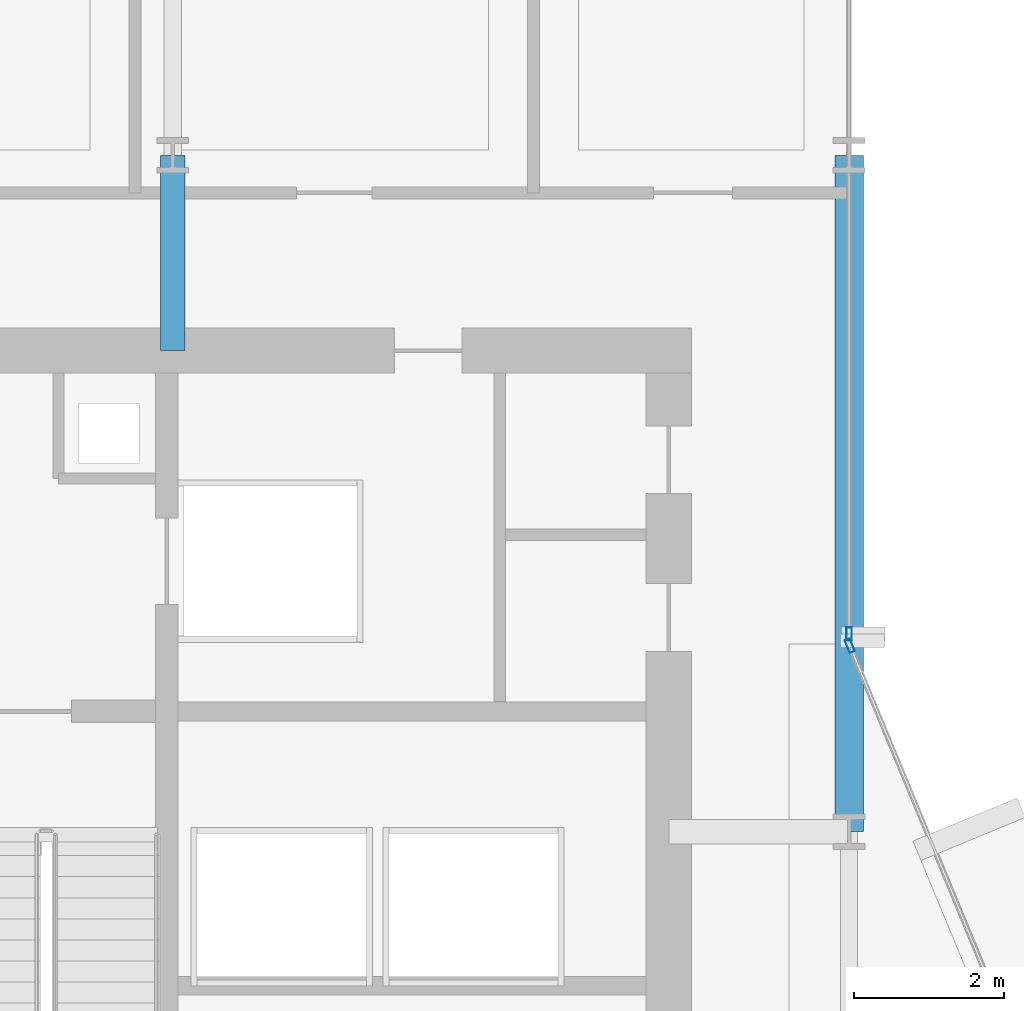
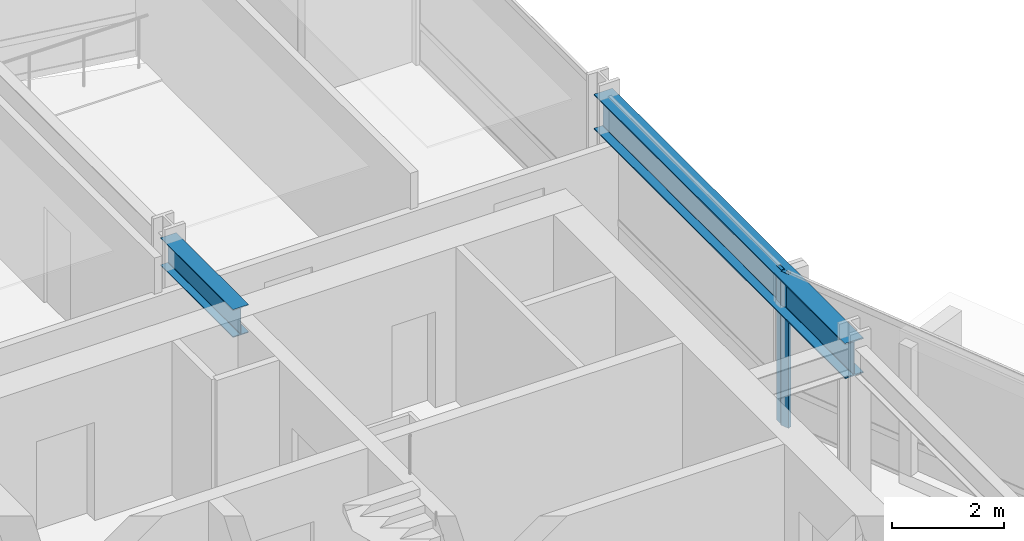
# One storey, part 21 of 34: 2 beams, 2 members, 2 elements without a shape of their own.
"""IFC4 building model written with IfcOpenShell, lengths in metres."""

import ifcopenshell
import ifcopenshell.guid

model = None  # the IFC model being written
_history = None  # IfcOwnerHistory: only IFC2X3 demands one
_inside = {}  # id of a spatial element -> (the spatial element, [elements in it])
_under = {}  # id of a project, library or spatial element -> (it, [spatial elements below it])
_declared = {}  # id of a project -> (the project, [libraries it declares])
_typed = {}  # id of a type object -> (the type object, [elements of that type])
_made_of = {}  # id of a material, layer set ... -> (it, [elements and type objects made of it])


def new_model(schema):
    """Start an empty IFC model of exactly this schema.

    Asked for "IFC4X3", IfcOpenShell would pick the latest addendum, in which some entities
    have other attributes; the version numbers below select the first issue.
    IFC2X3 requires an IfcOwnerHistory on every rooted entity: one is made here for all.
    """
    global model, _history
    if schema == "IFC4X3":
        model = ifcopenshell.file(schema_version=(4, 3, 0, 0))
    else:
        model = ifcopenshell.file(schema=schema)
    _inside.clear()
    _under.clear()
    _declared.clear()
    _typed.clear()
    _made_of.clear()
    _history = None
    if model.schema == "IFC2X3":
        org = make("IfcOrganization", Name="unknown")
        user = make(
            "IfcPersonAndOrganization",
            ThePerson=make("IfcPerson", FamilyName="unknown"),
            TheOrganization=org,
        )
        app = make(
            "IfcApplication",
            ApplicationDeveloper=org,
            Version="unknown",
            ApplicationFullName="unknown",
            ApplicationIdentifier="unknown",
        )
        _history = make(
            "IfcOwnerHistory",
            OwningUser=user,
            OwningApplication=app,
            ChangeAction="ADDED",
            CreationDate=0,
        )
    return model


def make(cls, **values):
    """One entity of the class cls with the attributes given. An attribute that is None is left unset."""
    return model.create_entity(
        cls, **{name: value for name, value in values.items() if value is not None}
    )


def rooted(cls, **values):
    """An entity with a GlobalId (a new one), such as an element, a storey or a relation."""
    return make(cls, GlobalId=ifcopenshell.guid.new(), OwnerHistory=_history, **values)


def si_unit(unit_type, name, prefix=None):
    """IfcSIUnit, for example si_unit("LENGTHUNIT", "METRE", prefix="MILLI")."""
    return make("IfcSIUnit", UnitType=unit_type, Prefix=prefix, Name=name)


def assignment(units):
    """IfcUnitAssignment: the units of a project."""
    return None if units is None else make("IfcUnitAssignment", Units=units)


def point(xyz):
    """IfcCartesianPoint."""
    return None if xyz is None else make("IfcCartesianPoint", Coordinates=xyz)


def direction(xyz):
    """IfcDirection."""
    return None if xyz is None else make("IfcDirection", DirectionRatios=xyz)


def frame(location, z_axis=None, x_axis=None):
    """IfcAxis2Placement3D, a coordinate frame: its origin and axes. An axis left out is left unset."""
    return make(
        "IfcAxis2Placement3D",
        Location=point(location),
        Axis=direction(z_axis),
        RefDirection=direction(x_axis),
    )


def frame_2d(location, x_axis=None):
    """IfcAxis2Placement2D, a coordinate frame in the plane: its origin and x axis."""
    return make(
        "IfcAxis2Placement2D", Location=point(location), RefDirection=direction(x_axis)
    )


def origin():
    """The frame at (0, 0, 0) with its axes left unset."""
    return frame((0.0, 0.0, 0.0))


def origin_2d():
    """The frame at (0, 0) in the plane with its x axis left unset."""
    return frame_2d((0.0, 0.0))


def place(relative_to, where):
    """IfcLocalPlacement: puts the frame where relative to a parent placement (None: the world)."""
    return make(
        "IfcLocalPlacement", PlacementRelTo=relative_to, RelativePlacement=where
    )


def context(
    kind, dimensions, precision=None, world=None, true_north=None, identifier=None
):
    """IfcGeometricRepresentationContext, for example the 3D "Model" context."""
    return make(
        "IfcGeometricRepresentationContext",
        ContextIdentifier=identifier,
        ContextType=kind,
        CoordinateSpaceDimension=dimensions,
        Precision=precision,
        WorldCoordinateSystem=world,
        TrueNorth=true_north,
    )


def subcontext(parent, identifier, kind, view, scale=None):
    """IfcGeometricRepresentationSubContext, for example "Body" below "Model"."""
    return make(
        "IfcGeometricRepresentationSubContext",
        ContextIdentifier=identifier,
        ContextType=kind,
        ParentContext=parent,
        TargetScale=scale,
        TargetView=view,
    )


def project(units=None, contexts=None):
    """IfcProject with its units and contexts."""
    return rooted(
        "IfcProject",
        Name="project",
        RepresentationContexts=contexts,
        UnitsInContext=assignment(units),
    )


def spatial(cls, under=None, at=None, **own):
    """A site, building, storey or space (cls), placed at a placement, below another one or the project."""
    s = rooted(cls, ObjectPlacement=at, **own)
    if under is not None:
        _under.setdefault(under.id(), (under, []))[1].append(s)
    return s


def profile(cls, at=None, kind="AREA", **sizes):
    """A parametric profile (cls). Its sizes go by their IFC names, for example OverallWidth=200.0."""
    return make(cls, ProfileType=kind, Position=at, **sizes)


def hollow_rectangle(**sizes):
    """IfcRectangleHollowProfileDef."""
    return profile("IfcRectangleHollowProfileDef", **sizes)


def i_section(**sizes):
    """IfcIShapeProfileDef."""
    return profile("IfcIShapeProfileDef", **sizes)


def extrude(swept, where, along, depth):
    """IfcExtrudedAreaSolid: the profile swept, set in the frame where, extruded along a direction by depth."""
    return make(
        "IfcExtrudedAreaSolid",
        SweptArea=swept,
        Position=where,
        ExtrudedDirection=direction(along),
        Depth=depth,
    )


def shape(context_of_items, identifier, shape_type, items):
    """IfcShapeRepresentation: the items that make up one representation, for example the "Body"."""
    return make(
        "IfcShapeRepresentation",
        ContextOfItems=context_of_items,
        RepresentationIdentifier=identifier,
        RepresentationType=shape_type,
        Items=items,
    )


def material(Name=None, Category=None):
    """IfcMaterial."""
    return make("IfcMaterial", Name=Name, Category=Category)


def layer(
    of_material, thickness, ventilated=None, Name=None, Category=None, Priority=None
):
    """IfcMaterialLayer: one layer of a wall or slab, of a material (None: an air gap)."""
    return make(
        "IfcMaterialLayer",
        Material=of_material,
        LayerThickness=thickness,
        IsVentilated=ventilated,
        Name=Name,
        Category=Category,
        Priority=Priority,
    )


def layer_set(layers, Name=None):
    """IfcMaterialLayerSet."""
    return make("IfcMaterialLayerSet", MaterialLayers=layers, LayerSetName=Name)


def material_profile(
    of_material, cross_section, Name=None, Category=None, Priority=None
):
    """IfcMaterialProfile: a cross section and its material."""
    return make(
        "IfcMaterialProfile",
        Name=Name,
        Material=of_material,
        Profile=cross_section,
        Priority=Priority,
        Category=Category,
    )


def profile_set(profiles, Name=None, composite=None):
    """IfcMaterialProfileSet."""
    return make(
        "IfcMaterialProfileSet",
        Name=Name,
        MaterialProfiles=profiles,
        CompositeProfile=composite,
    )


def made_of(thing, what):
    """Note that an element or type object is made of a material, layer set ...; save() writes the relation."""
    if what is not None:
        _made_of.setdefault(what.id(), (what, []))[1].append(thing)
    return thing


def type_object(cls, material=None, **own):
    """A type object (cls), such as IfcWallType, which elements share."""
    return made_of(rooted(cls, **own), material)


def element(
    cls,
    number,
    at=None,
    inside=None,
    cuts=None,
    type_object=None,
    material=None,
    context=None,
    identifier="Body",
    shape_type=None,
    held_by="IfcProductDefinitionShape",
    body=None,
    shapes=None,
    **own,
):
    """One element of the class cls, such as IfcWall. Its Tag is "e" and its number.

    at: its placement. inside: the storey or other place that contains it. cuts: it is an
    opening in that element (IfcRelVoidsElement). A single representation is given by context,
    identifier, shape_type and body (its items); several are given by shapes. held_by: the class
    of the entity that holds the representations. save() writes the other relations.
    """
    e = rooted(cls, Tag="e%d" % number, ObjectPlacement=at, **own)
    if body is not None:
        shapes = [shape(context, identifier, shape_type, body)]
    if shapes is not None:
        e.Representation = make(held_by, Representations=shapes)
    if inside is not None:
        _inside.setdefault(inside.id(), (inside, []))[1].append(e)
    if cuts is not None:
        rooted(
            "IfcRelVoidsElement", RelatingBuildingElement=cuts, RelatedOpeningElement=e
        )
    if type_object is not None:
        _typed.setdefault(type_object.id(), (type_object, []))[1].append(e)
    return made_of(e, material)


def aggregate(whole, parts):
    """IfcRelAggregates: a whole, such as a stair, and the parts it consists of."""
    return rooted("IfcRelAggregates", RelatingObject=whole, RelatedObjects=parts)


def save(model, path):
    """Write the relations noted so far, then the file.

    IfcRelAggregates (storeys below a building ...), IfcRelContainedInSpatialStructure (elements
    in a storey), IfcRelDefinesByType, IfcRelAssociatesMaterial and IfcRelDeclares: one each for
    every whole, place, type object, material and project.
    """
    for whole, parts in _under.values():
        aggregate(whole, parts)
    for where, things in _inside.values():
        rooted(
            "IfcRelContainedInSpatialStructure",
            RelatedElements=things,
            RelatingStructure=where,
        )
    for kind, things in _typed.values():
        rooted("IfcRelDefinesByType", RelatedObjects=things, RelatingType=kind)
    for what, things in _made_of.values():
        rooted("IfcRelAssociatesMaterial", RelatedObjects=things, RelatingMaterial=what)
    for by, libraries in _declared.values():
        rooted("IfcRelDeclares", RelatingContext=by, RelatedDefinitions=libraries)
    model.write(path)


model = new_model("IFC4")

# Units and contexts
model_context = context("Model", 3, precision=1e-05, world=origin(), true_north=direction((0.0, 1.0)))
body_context = subcontext(model_context, "Body", "Model", "MODEL_VIEW")
ifc_project = project(units=[si_unit("LENGTHUNIT", "METRE"), si_unit("AREAUNIT", "SQUARE_METRE"), si_unit("VOLUMEUNIT", "CUBIC_METRE"), si_unit("PLANEANGLEUNIT", "RADIAN"), si_unit("MASSUNIT", "GRAM", prefix="KILO")], contexts=[model_context])

# Site, building, storey
site_placement = place(None, origin())
site = spatial("IfcSite", under=ifc_project, at=site_placement, CompositionType="ELEMENT")
building_placement = place(site_placement, origin())
building = spatial("IfcBuilding", under=site, at=building_placement, Name="Solvaryn Broadcast Tower", CompositionType="ELEMENT")
storey_placement = place(building_placement, frame((0.0, 0.0, 96.5)))
storey = spatial("IfcBuildingStorey", under=building, at=storey_placement, Name="L23", CompositionType="ELEMENT", Elevation=96.5)

# Beams
ifc_material_1 = material(Name="Steel ASTM A992 Grade 50", Category="steel")
ifc_material_profile_1 = material_profile(ifc_material_1, i_section(OverallWidth=0.323974609375, OverallDepth=0.611083984375, WebThickness=0.0126953125, FlangeThickness=0.01904296875, FilletRadius=0.014892578125, at=origin_2d()))
ifc_profile_set_1 = profile_set([ifc_material_profile_1], Name="Steel ASTM A992 Grade 50")
beam_type_1 = type_object("IfcBeamType", Name="BM-B1-W24X104", PredefinedType="BEAM", material=ifc_profile_set_1)
beam_1_placement = place(storey_placement, frame((18.0, 42.39990234375, 3.064453125), z_axis=(0.0, 1.0, 0.0), x_axis=(-1.0, 0.0, 0.0)))
element("IfcBeam", 1, at=beam_1_placement, inside=storey, type_object=beam_type_1, Name="L23 Core Tie Beam CTW3", PredefinedType="BEAM", context=body_context, shape_type="SweptSolid", body=[
    extrude(i_section(OverallWidth=0.323974609375, OverallDepth=0.611083984375, WebThickness=0.0126953125, FlangeThickness=0.01904296875, FilletRadius=0.014892578125, at=origin_2d()), origin(), (0.0, 0.0, 1.0), 2.60009765625),
])
ifc_material_2 = material(Name="Steel ASTM A992 Grade 50", Category="steel")
ifc_material_profile_2 = material_profile(ifc_material_2, i_section(OverallWidth=0.381103515625, OverallDepth=0.77294921875, WebThickness=0.0166015625, FlangeThickness=0.027099609375, FilletRadius=0.01806640625, at=origin_2d()))
ifc_profile_set_2 = profile_set([ifc_material_profile_2], Name="Steel ASTM A992 Grade 50")
beam_type_2 = type_object("IfcBeamType", Name="BM-SP1-W30X173", PredefinedType="USERDEFINED", material=ifc_profile_set_2)
beam_2_placement = place(storey_placement, frame((27.0, 36.0, 2.9833984375), z_axis=(0.0, 1.0, 0.0), x_axis=(-1.0, 0.0, 0.0)))
element("IfcBeam", 2, at=beam_2_placement, inside=storey, type_object=beam_type_2, Name="L23 Spandrel Beam Y (36-45 @ X=27)", ObjectType="SPANDREL", PredefinedType="USERDEFINED", context=body_context, shape_type="SweptSolid", body=[
    extrude(i_section(OverallWidth=0.381103515625, OverallDepth=0.77294921875, WebThickness=0.0166015625, FlangeThickness=0.027099609375, FilletRadius=0.01806640625, at=origin_2d()), origin(), (0.0, 0.0, 1.0), 9.0),
])

# Curtain wall, member
ifc_material_3 = material(Name="Aluminium and Terracotta Unitised Curtain Wall", Category="masonry")
ifc_layer = layer(ifc_material_3, 0.199951171875)
ifc_layer_set = layer_set([ifc_layer], Name="CW-SYS2-LOWMID")
curtain_wall_type = type_object("IfcCurtainWallType", Name="CW-SYS2-LOWMID", PredefinedType="NOTDEFINED", material=ifc_layer_set)
curtain_wall_1_placement = place(storey_placement, origin())
curtain_wall_1 = element("IfcCurtainWall", 3, at=curtain_wall_1_placement, inside=storey, type_object=curtain_wall_type, Name="L23 Curtain Wall IV", PredefinedType="NOTDEFINED")
ifc_material_4 = material(Name="Anodised Aluminium 6063-T6", Category="aluminium")
ifc_material_profile_3 = material_profile(ifc_material_4, hollow_rectangle(XDim=0.074951171875, YDim=0.179931640625, WallThickness=0.00390625, InnerFilletRadius=0.00390625, OuterFilletRadius=0.008056640625, at=origin_2d()))
ifc_profile_set_3 = profile_set([ifc_material_profile_3], Name="Anodised Aluminium 6063-T6")
member_type = type_object("IfcMemberType", Name="CW-MUL-180", PredefinedType="MULLION", material=ifc_profile_set_3)
member_1_placement = place(storey_placement, frame((27.0, 38.6298828125, 0.0), z_axis=(0.0, 0.0, 1.0), x_axis=(1.0, 0.0, 0.0)))
member_1 = element("IfcMember", 4, at=member_1_placement, type_object=member_type, Name="CWS2 mullion 2", PredefinedType="MULLION", context=body_context, shape_type="SweptSolid", body=[
    extrude(hollow_rectangle(XDim=0.074951171875, YDim=0.179931640625, WallThickness=0.00390625, InnerFilletRadius=0.00390625, OuterFilletRadius=0.008056640625, at=origin_2d()), origin(), (0.0, 0.0, 1.0), 3.3701171875),
])
aggregate(curtain_wall_1, [member_1])

curtain_wall_2_placement = place(storey_placement, origin())
curtain_wall_2 = element("IfcCurtainWall", 5, at=curtain_wall_2_placement, inside=storey, type_object=curtain_wall_type, Name="L23 Curtain Wall CN2", PredefinedType="NOTDEFINED")
member_2_placement = place(storey_placement, frame((27.011474609375, 38.47216796875, 0.0), z_axis=(0.0, 0.0, 1.0), x_axis=(-0.923894983957, -0.382646127145, 0.0)))
member_2 = element("IfcMember", 6, at=member_2_placement, type_object=member_type, Name="CWS2 mullion 2", PredefinedType="MULLION", context=body_context, shape_type="SweptSolid", body=[
    extrude(hollow_rectangle(XDim=0.074951171875, YDim=0.179931640625, WallThickness=0.00390625, InnerFilletRadius=0.00390625, OuterFilletRadius=0.008056640625, at=origin_2d()), origin(), (0.0, 0.0, 1.0), 3.3701171875),
])
aggregate(curtain_wall_2, [member_2])

save(model, "model.ifc")
